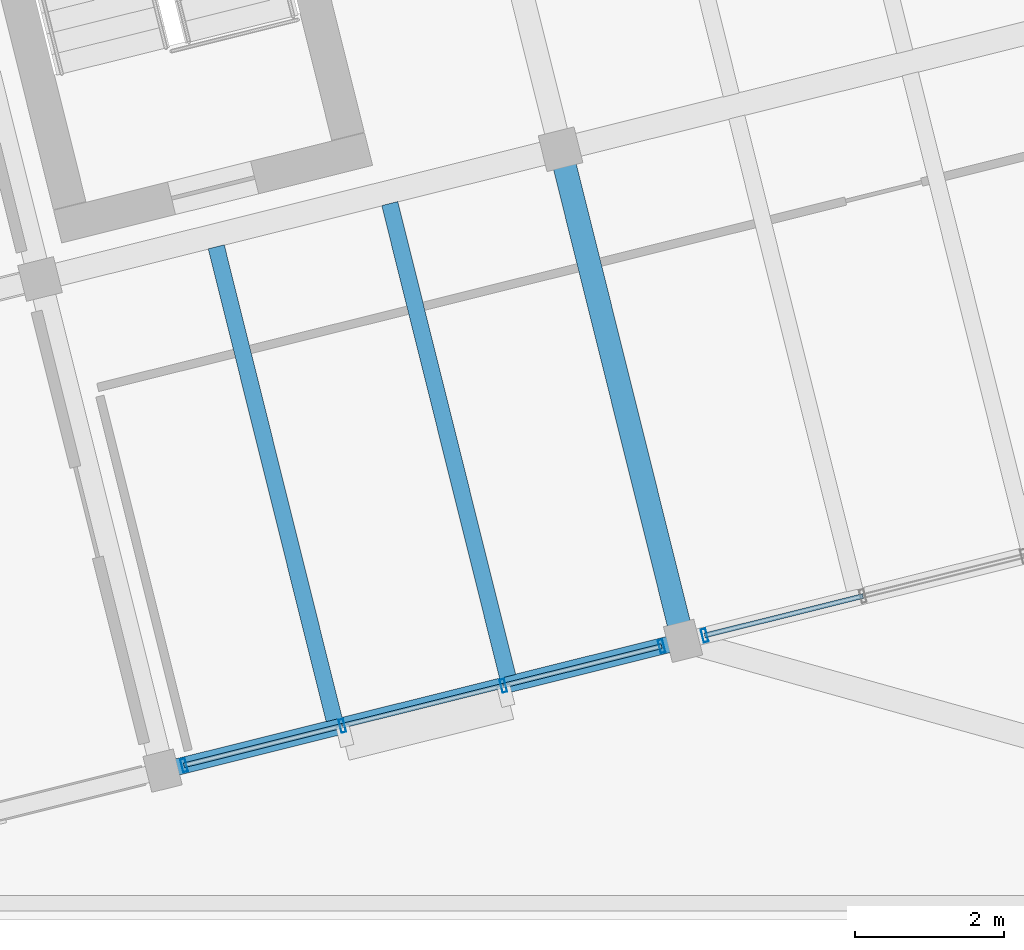
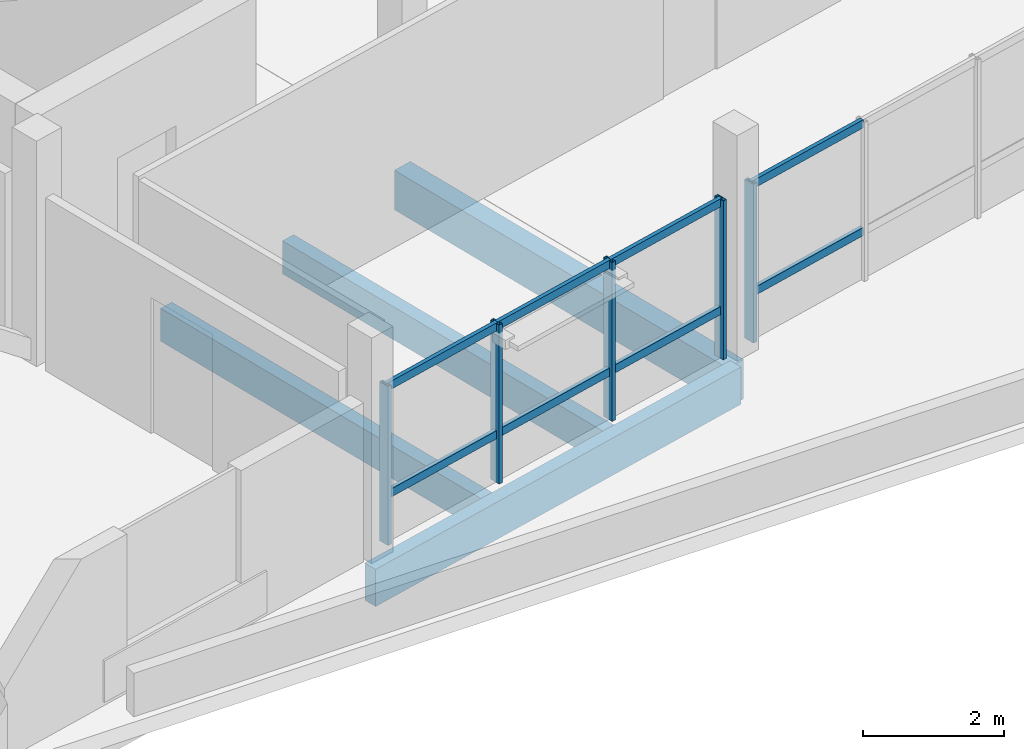
# One storey, part 5 of 37: 13 members, 4 beams, 2 elements without a shape of their own.
"""IFC4 building model written with IfcOpenShell, lengths in metres."""

import ifcopenshell
import ifcopenshell.guid

model = None  # the IFC model being written
_history = None  # IfcOwnerHistory: only IFC2X3 demands one
_inside = {}  # id of a spatial element -> (the spatial element, [elements in it])
_under = {}  # id of a project, library or spatial element -> (it, [spatial elements below it])
_declared = {}  # id of a project -> (the project, [libraries it declares])
_typed = {}  # id of a type object -> (the type object, [elements of that type])
_made_of = {}  # id of a material, layer set ... -> (it, [elements and type objects made of it])


def new_model(schema):
    """Start an empty IFC model of exactly this schema.

    Asked for "IFC4X3", IfcOpenShell would pick the latest addendum, in which some entities
    have other attributes; the version numbers below select the first issue.
    IFC2X3 requires an IfcOwnerHistory on every rooted entity: one is made here for all.
    """
    global model, _history
    if schema == "IFC4X3":
        model = ifcopenshell.file(schema_version=(4, 3, 0, 0))
    else:
        model = ifcopenshell.file(schema=schema)
    _inside.clear()
    _under.clear()
    _declared.clear()
    _typed.clear()
    _made_of.clear()
    _history = None
    if model.schema == "IFC2X3":
        org = make("IfcOrganization", Name="unknown")
        user = make(
            "IfcPersonAndOrganization",
            ThePerson=make("IfcPerson", FamilyName="unknown"),
            TheOrganization=org,
        )
        app = make(
            "IfcApplication",
            ApplicationDeveloper=org,
            Version="unknown",
            ApplicationFullName="unknown",
            ApplicationIdentifier="unknown",
        )
        _history = make(
            "IfcOwnerHistory",
            OwningUser=user,
            OwningApplication=app,
            ChangeAction="ADDED",
            CreationDate=0,
        )
    return model


def make(cls, **values):
    """One entity of the class cls with the attributes given. An attribute that is None is left unset."""
    return model.create_entity(
        cls, **{name: value for name, value in values.items() if value is not None}
    )


def rooted(cls, **values):
    """An entity with a GlobalId (a new one), such as an element, a storey or a relation."""
    return make(cls, GlobalId=ifcopenshell.guid.new(), OwnerHistory=_history, **values)


def si_unit(unit_type, name, prefix=None):
    """IfcSIUnit, for example si_unit("LENGTHUNIT", "METRE", prefix="MILLI")."""
    return make("IfcSIUnit", UnitType=unit_type, Prefix=prefix, Name=name)


def assignment(units):
    """IfcUnitAssignment: the units of a project."""
    return None if units is None else make("IfcUnitAssignment", Units=units)


def point(xyz):
    """IfcCartesianPoint."""
    return None if xyz is None else make("IfcCartesianPoint", Coordinates=xyz)


def direction(xyz):
    """IfcDirection."""
    return None if xyz is None else make("IfcDirection", DirectionRatios=xyz)


def frame(location, z_axis=None, x_axis=None):
    """IfcAxis2Placement3D, a coordinate frame: its origin and axes. An axis left out is left unset."""
    return make(
        "IfcAxis2Placement3D",
        Location=point(location),
        Axis=direction(z_axis),
        RefDirection=direction(x_axis),
    )


def frame_2d(location, x_axis=None):
    """IfcAxis2Placement2D, a coordinate frame in the plane: its origin and x axis."""
    return make(
        "IfcAxis2Placement2D", Location=point(location), RefDirection=direction(x_axis)
    )


def origin():
    """The frame at (0, 0, 0) with its axes left unset."""
    return frame((0.0, 0.0, 0.0))


def origin_2d():
    """The frame at (0, 0) in the plane with its x axis left unset."""
    return frame_2d((0.0, 0.0))


def place(relative_to, where):
    """IfcLocalPlacement: puts the frame where relative to a parent placement (None: the world)."""
    return make(
        "IfcLocalPlacement", PlacementRelTo=relative_to, RelativePlacement=where
    )


def context(
    kind, dimensions, precision=None, world=None, true_north=None, identifier=None
):
    """IfcGeometricRepresentationContext, for example the 3D "Model" context."""
    return make(
        "IfcGeometricRepresentationContext",
        ContextIdentifier=identifier,
        ContextType=kind,
        CoordinateSpaceDimension=dimensions,
        Precision=precision,
        WorldCoordinateSystem=world,
        TrueNorth=true_north,
    )


def subcontext(parent, identifier, kind, view, scale=None):
    """IfcGeometricRepresentationSubContext, for example "Body" below "Model"."""
    return make(
        "IfcGeometricRepresentationSubContext",
        ContextIdentifier=identifier,
        ContextType=kind,
        ParentContext=parent,
        TargetScale=scale,
        TargetView=view,
    )


def project(units=None, contexts=None):
    """IfcProject with its units and contexts."""
    return rooted(
        "IfcProject",
        Name="project",
        RepresentationContexts=contexts,
        UnitsInContext=assignment(units),
    )


def spatial(cls, under=None, at=None, **own):
    """A site, building, storey or space (cls), placed at a placement, below another one or the project."""
    s = rooted(cls, ObjectPlacement=at, **own)
    if under is not None:
        _under.setdefault(under.id(), (under, []))[1].append(s)
    return s


def profile(cls, at=None, kind="AREA", **sizes):
    """A parametric profile (cls). Its sizes go by their IFC names, for example OverallWidth=200.0."""
    return make(cls, ProfileType=kind, Position=at, **sizes)


def rectangle(**sizes):
    """IfcRectangleProfileDef."""
    return profile("IfcRectangleProfileDef", **sizes)


def hollow_rectangle(**sizes):
    """IfcRectangleHollowProfileDef."""
    return profile("IfcRectangleHollowProfileDef", **sizes)


def extrude(swept, where, along, depth):
    """IfcExtrudedAreaSolid: the profile swept, set in the frame where, extruded along a direction by depth."""
    return make(
        "IfcExtrudedAreaSolid",
        SweptArea=swept,
        Position=where,
        ExtrudedDirection=direction(along),
        Depth=depth,
    )


def shape(context_of_items, identifier, shape_type, items):
    """IfcShapeRepresentation: the items that make up one representation, for example the "Body"."""
    return make(
        "IfcShapeRepresentation",
        ContextOfItems=context_of_items,
        RepresentationIdentifier=identifier,
        RepresentationType=shape_type,
        Items=items,
    )


def material(Name=None, Category=None):
    """IfcMaterial."""
    return make("IfcMaterial", Name=Name, Category=Category)


def layer(
    of_material, thickness, ventilated=None, Name=None, Category=None, Priority=None
):
    """IfcMaterialLayer: one layer of a wall or slab, of a material (None: an air gap)."""
    return make(
        "IfcMaterialLayer",
        Material=of_material,
        LayerThickness=thickness,
        IsVentilated=ventilated,
        Name=Name,
        Category=Category,
        Priority=Priority,
    )


def layer_set(layers, Name=None):
    """IfcMaterialLayerSet."""
    return make("IfcMaterialLayerSet", MaterialLayers=layers, LayerSetName=Name)


def material_profile(
    of_material, cross_section, Name=None, Category=None, Priority=None
):
    """IfcMaterialProfile: a cross section and its material."""
    return make(
        "IfcMaterialProfile",
        Name=Name,
        Material=of_material,
        Profile=cross_section,
        Priority=Priority,
        Category=Category,
    )


def profile_set(profiles, Name=None, composite=None):
    """IfcMaterialProfileSet."""
    return make(
        "IfcMaterialProfileSet",
        Name=Name,
        MaterialProfiles=profiles,
        CompositeProfile=composite,
    )


def made_of(thing, what):
    """Note that an element or type object is made of a material, layer set ...; save() writes the relation."""
    if what is not None:
        _made_of.setdefault(what.id(), (what, []))[1].append(thing)
    return thing


def type_object(cls, material=None, **own):
    """A type object (cls), such as IfcWallType, which elements share."""
    return made_of(rooted(cls, **own), material)


def element(
    cls,
    number,
    at=None,
    inside=None,
    cuts=None,
    type_object=None,
    material=None,
    context=None,
    identifier="Body",
    shape_type=None,
    held_by="IfcProductDefinitionShape",
    body=None,
    shapes=None,
    **own,
):
    """One element of the class cls, such as IfcWall. Its Tag is "e" and its number.

    at: its placement. inside: the storey or other place that contains it. cuts: it is an
    opening in that element (IfcRelVoidsElement). A single representation is given by context,
    identifier, shape_type and body (its items); several are given by shapes. held_by: the class
    of the entity that holds the representations. save() writes the other relations.
    """
    e = rooted(cls, Tag="e%d" % number, ObjectPlacement=at, **own)
    if body is not None:
        shapes = [shape(context, identifier, shape_type, body)]
    if shapes is not None:
        e.Representation = make(held_by, Representations=shapes)
    if inside is not None:
        _inside.setdefault(inside.id(), (inside, []))[1].append(e)
    if cuts is not None:
        rooted(
            "IfcRelVoidsElement", RelatingBuildingElement=cuts, RelatedOpeningElement=e
        )
    if type_object is not None:
        _typed.setdefault(type_object.id(), (type_object, []))[1].append(e)
    return made_of(e, material)


def aggregate(whole, parts):
    """IfcRelAggregates: a whole, such as a stair, and the parts it consists of."""
    return rooted("IfcRelAggregates", RelatingObject=whole, RelatedObjects=parts)


def save(model, path):
    """Write the relations noted so far, then the file.

    IfcRelAggregates (storeys below a building ...), IfcRelContainedInSpatialStructure (elements
    in a storey), IfcRelDefinesByType, IfcRelAssociatesMaterial and IfcRelDeclares: one each for
    every whole, place, type object, material and project.
    """
    for whole, parts in _under.values():
        aggregate(whole, parts)
    for where, things in _inside.values():
        rooted(
            "IfcRelContainedInSpatialStructure",
            RelatedElements=things,
            RelatingStructure=where,
        )
    for kind, things in _typed.values():
        rooted("IfcRelDefinesByType", RelatedObjects=things, RelatingType=kind)
    for what, things in _made_of.values():
        rooted("IfcRelAssociatesMaterial", RelatedObjects=things, RelatingMaterial=what)
    for by, libraries in _declared.values():
        rooted("IfcRelDeclares", RelatingContext=by, RelatedDefinitions=libraries)
    model.write(path)


model = new_model("IFC4")

# Units and contexts
model_context = context("Model", 3, precision=1e-05, world=origin(), true_north=direction((0.0, 1.0)))
body_context = subcontext(model_context, "Body", "Model", "MODEL_VIEW")
ifc_project = project(units=[si_unit("LENGTHUNIT", "METRE"), si_unit("AREAUNIT", "SQUARE_METRE"), si_unit("VOLUMEUNIT", "CUBIC_METRE"), si_unit("PLANEANGLEUNIT", "RADIAN"), si_unit("MASSUNIT", "GRAM", prefix="KILO")], contexts=[model_context])

# Site, building, storey
site_placement = place(None, origin())
site = spatial("IfcSite", under=ifc_project, at=site_placement, CompositionType="ELEMENT")
building_placement = place(site_placement, origin())
building = spatial("IfcBuilding", under=site, at=building_placement, Name="Meriwether Solvik Hall", CompositionType="ELEMENT")
storey_placement = place(building_placement, frame((0.0, 0.0, 26.10009765625)))
storey = spatial("IfcBuildingStorey", under=building, at=storey_placement, Name="L06", CompositionType="ELEMENT", Elevation=26.10009765625)

# Beams
ifc_material_1 = material(Name="Glulam Douglas-Fir 24F-V8 GL28h", Category="wood")
ifc_material_profile_1 = material_profile(ifc_material_1, rectangle(XDim=0.221923828125, YDim=0.64501953125, at=origin_2d()), Name="GLB-222X645")
ifc_profile_set_1 = profile_set([ifc_material_profile_1], Name="Glulam Douglas-Fir 24F-V8 GL28h")
beam_type_1 = type_object("IfcBeamType", Name="BM-GL-222X645", PredefinedType="SPANDREL", material=ifc_profile_set_1)
beam_1_placement = place(storey_placement, frame((75.974365234375, 43.03857421875, -0.592529296875), z_axis=(0.970291911955, 0.241937193493, 0.0), x_axis=(-0.241937193493, 0.970291911955, 0.0)))
element("IfcBeam", 1, at=beam_1_placement, inside=storey, type_object=beam_type_1, Name="Tower Girder TA:T2-T3 (L06)", PredefinedType="SPANDREL", context=body_context, shape_type="SweptSolid", body=[
    extrude(rectangle(XDim=0.221923828125, YDim=0.64501953125, at=origin_2d()), origin(), (0.0, 0.0, 1.0), 7.199951171875),
])
ifc_material_2 = material(Name="Glulam Douglas-Fir 24F-V8 GL28h", Category="wood")
ifc_material_profile_2 = material_profile(ifc_material_2, rectangle(XDim=0.31494140625, YDim=0.68505859375, at=origin_2d()), Name="GLB-315X685")
ifc_profile_set_2 = profile_set([ifc_material_profile_2], Name="Glulam Douglas-Fir 24F-V8 GL28h")
beam_type_2 = type_object("IfcBeamType", Name="BM-GL-315X685", PredefinedType="BEAM", material=ifc_profile_set_2)
beam_2_placement = place(storey_placement, frame((82.96044921875, 44.780517578125, -0.612548828125), z_axis=(-0.241918877831, 0.970296478685, 0.0), x_axis=(-0.970296478685, -0.241918877831, 0.0)))
element("IfcBeam", 2, at=beam_2_placement, inside=storey, type_object=beam_type_2, Name="Tower Girder T3:TA-TB (L06)", PredefinedType="BEAM", context=body_context, shape_type="SweptSolid", body=[
    extrude(rectangle(XDim=0.31494140625, YDim=0.68505859375, at=origin_2d()), origin(), (0.0, 0.0, 1.0), 6.7998046875),
])

# Curtain wall, members
ifc_material_3 = material(Name="Thermally Broken Anodised Aluminium 6063-T6 and Low-E Glass", Category="aluminium")
ifc_layer_1 = layer(ifc_material_3, 0.179931640625)
ifc_layer_set_1 = layer_set([ifc_layer_1], Name="Thermally Broken Anodised Aluminium 6063-T6 and Low-E Glass")
curtain_wall_type_1 = type_object("IfcCurtainWallType", Name="CW-UNIT-E", PredefinedType="USERDEFINED", material=ifc_layer_set_1)
curtain_wall_1_placement = place(storey_placement, origin())
curtain_wall_1 = element("IfcCurtainWall", 3, at=curtain_wall_1_placement, inside=storey, type_object=curtain_wall_type_1, Name="Curtain Wall E0_B1 (L06)", ObjectType="UNITISED CURTAIN WALL", PredefinedType="USERDEFINED")
ifc_material_4 = material(Name="Anodised Aluminium 6063-T6", Category="aluminium")
ifc_material_profile_3 = material_profile(ifc_material_4, hollow_rectangle(XDim=0.06494140625, YDim=0.179931640625, WallThickness=0.00439453125, at=origin_2d()), Name="CWM-65X180")
ifc_profile_set_3 = profile_set([ifc_material_profile_3], Name="Anodised Aluminium 6063-T6")
member_type_1 = type_object("IfcMemberType", Name="CW-MUL-65X180", PredefinedType="MULLION", material=ifc_profile_set_3)
member_1_placement = place(storey_placement, frame((82.671630859375, 44.70849609375, 0.0), z_axis=(0.0, 0.0, 1.0), x_axis=(-0.970295734974, -0.241921860714, 0.0)))
member_1 = element("IfcMember", 4, at=member_1_placement, type_object=member_type_1, Name="Curtain Wall Mullion 1", PredefinedType="MULLION", context=body_context, shape_type="SweptSolid", body=[
    extrude(hollow_rectangle(XDim=0.06494140625, YDim=0.179931640625, WallThickness=0.00439453125, at=origin_2d()), origin(), (0.0, 0.0, 1.0), 2.75),
])
member_2_placement = place(storey_placement, frame((80.5478515625, 44.178955078125, 0.0), z_axis=(0.0, 0.0, 1.0), x_axis=(-0.970295734974, -0.241921860714, 0.0)))
member_2 = element("IfcMember", 5, at=member_2_placement, type_object=member_type_1, Name="Curtain Wall Mullion 2", PredefinedType="MULLION", context=body_context, shape_type="SweptSolid", body=[
    extrude(hollow_rectangle(XDim=0.06494140625, YDim=0.179931640625, WallThickness=0.00439453125, at=origin_2d()), origin(), (0.0, 0.0, 1.0), 2.75),
])
member_3_placement = place(storey_placement, frame((78.386962890625, 43.64013671875, 0.0), z_axis=(0.0, 0.0, 1.0), x_axis=(-0.970295734974, -0.241921860714, 0.0)))
member_3 = element("IfcMember", 6, at=member_3_placement, type_object=member_type_1, Name="Curtain Wall Mullion 3", PredefinedType="MULLION", context=body_context, shape_type="SweptSolid", body=[
    extrude(hollow_rectangle(XDim=0.06494140625, YDim=0.179931640625, WallThickness=0.00439453125, at=origin_2d()), origin(), (0.0, 0.0, 1.0), 2.75),
])
member_4_placement = place(storey_placement, frame((76.262939453125, 43.110595703125, 0.0), z_axis=(0.0, 0.0, 1.0), x_axis=(-0.970295734974, -0.241921860714, 0.0)))
member_4 = element("IfcMember", 7, at=member_4_placement, type_object=member_type_1, Name="Curtain Wall Mullion 4", PredefinedType="MULLION", context=body_context, shape_type="SweptSolid", body=[
    extrude(hollow_rectangle(XDim=0.06494140625, YDim=0.179931640625, WallThickness=0.00439453125, at=origin_2d()), origin(), (0.0, 0.0, 1.0), 2.75),
])

# Curtain wall, member
ifc_material_5 = material(Name="Thermally Broken Anodised Aluminium 6063-T6 and Low-E Glass", Category="aluminium")
ifc_layer_2 = layer(ifc_material_5, 0.179931640625)
ifc_layer_set_2 = layer_set([ifc_layer_2], Name="Thermally Broken Anodised Aluminium 6063-T6 and Low-E Glass")
curtain_wall_type_2 = type_object("IfcCurtainWallType", Name="CW-UNIT-F", PredefinedType="USERDEFINED", material=ifc_layer_set_2)
curtain_wall_2_placement = place(storey_placement, origin())
curtain_wall_2 = element("IfcCurtainWall", 8, at=curtain_wall_2_placement, inside=storey, type_object=curtain_wall_type_2, Name="Curtain Wall E0_B2 (L06)", ObjectType="UNITISED CURTAIN WALL", PredefinedType="USERDEFINED")
member_5_placement = place(storey_placement, frame((83.2490234375, 44.8525390625, 0.0), z_axis=(0.0, 0.0, 1.0), x_axis=(-0.970295734974, -0.241921860714, 0.0)))
member_5 = element("IfcMember", 9, at=member_5_placement, type_object=member_type_1, Name="Curtain Wall Mullion 4", PredefinedType="MULLION", context=body_context, shape_type="SweptSolid", body=[
    extrude(hollow_rectangle(XDim=0.06494140625, YDim=0.179931640625, WallThickness=0.00439453125, at=origin_2d()), origin(), (0.0, 0.0, 1.0), 2.75),
])

# Member
ifc_material_6 = material(Name="Anodised Aluminium 6063-T6", Category="aluminium")
ifc_material_profile_4 = material_profile(ifc_material_6, hollow_rectangle(XDim=0.06494140625, YDim=0.139892578125, WallThickness=0.00439453125, at=origin_2d()), Name="CWT-65X140")
ifc_profile_set_4 = profile_set([ifc_material_profile_4], Name="Anodised Aluminium 6063-T6")
member_type_2 = type_object("IfcMemberType", Name="CW-TRN-65X140", PredefinedType="USERDEFINED", material=ifc_profile_set_4)
member_6_placement = place(storey_placement, frame((82.671630859375, 44.70849609375, 0.824951171875), z_axis=(-0.970293220462, -0.241931945647, 0.0), x_axis=(0.241931945647, -0.970293220462, 0.0)))
member_6 = element("IfcMember", 10, at=member_6_placement, type_object=member_type_2, Name="Curtain Wall Transom 1-sill", ObjectType="TRANSOM", PredefinedType="USERDEFINED", context=body_context, shape_type="SweptSolid", body=[
    extrude(hollow_rectangle(XDim=0.06494140625, YDim=0.139892578125, WallThickness=0.00439453125, at=origin_2d()), origin(), (0.0, 0.0, 1.0), 2.188720703125),
])

member_7_placement = place(storey_placement, frame((82.671630859375, 44.70849609375, 2.68994140625), z_axis=(-0.970293220462, -0.241931945647, 0.0), x_axis=(0.241931945647, -0.970293220462, 0.0)))
member_7 = element("IfcMember", 11, at=member_7_placement, type_object=member_type_2, Name="Curtain Wall Transom 1-head", ObjectType="TRANSOM", PredefinedType="USERDEFINED", context=body_context, shape_type="SweptSolid", body=[
    extrude(hollow_rectangle(XDim=0.06494140625, YDim=0.139892578125, WallThickness=0.00439453125, at=origin_2d()), origin(), (0.0, 0.0, 1.0), 2.188720703125),
])

member_8_placement = place(storey_placement, frame((80.5478515625, 44.178955078125, 0.824951171875), z_axis=(-0.970290634888, -0.241942315128, 0.0), x_axis=(0.241942315128, -0.970290634888, 0.0)))
member_8 = element("IfcMember", 12, at=member_8_placement, type_object=member_type_2, Name="Curtain Wall Transom 2-sill", ObjectType="TRANSOM", PredefinedType="USERDEFINED", context=body_context, shape_type="SweptSolid", body=[
    extrude(hollow_rectangle(XDim=0.06494140625, YDim=0.139892578125, WallThickness=0.00439453125, at=origin_2d()), origin(), (0.0, 0.0, 1.0), 2.22705078125),
])

member_9_placement = place(storey_placement, frame((80.5478515625, 44.178955078125, 2.68994140625), z_axis=(-0.970290634888, -0.241942315128, 0.0), x_axis=(0.241942315128, -0.970290634888, 0.0)))
member_9 = element("IfcMember", 13, at=member_9_placement, type_object=member_type_2, Name="Curtain Wall Transom 2-head", ObjectType="TRANSOM", PredefinedType="USERDEFINED", context=body_context, shape_type="SweptSolid", body=[
    extrude(hollow_rectangle(XDim=0.06494140625, YDim=0.139892578125, WallThickness=0.00439453125, at=origin_2d()), origin(), (0.0, 0.0, 1.0), 2.22705078125),
])

member_10_placement = place(storey_placement, frame((78.386962890625, 43.64013671875, 0.824951171875), z_axis=(-0.970299748003, -0.241905764761, 0.0), x_axis=(0.241905764761, -0.970299748003, 0.0)))
member_10 = element("IfcMember", 14, at=member_10_placement, type_object=member_type_2, Name="Curtain Wall Transom 3-sill", ObjectType="TRANSOM", PredefinedType="USERDEFINED", context=body_context, shape_type="SweptSolid", body=[
    extrude(hollow_rectangle(XDim=0.06494140625, YDim=0.139892578125, WallThickness=0.00439453125, at=origin_2d()), origin(), (0.0, 0.0, 1.0), 2.18896484375),
])

member_11_placement = place(storey_placement, frame((78.386962890625, 43.64013671875, 2.68994140625), z_axis=(-0.970299748003, -0.241905764761, 0.0), x_axis=(0.241905764761, -0.970299748003, 0.0)))
member_11 = element("IfcMember", 15, at=member_11_placement, type_object=member_type_2, Name="Curtain Wall Transom 3-head", ObjectType="TRANSOM", PredefinedType="USERDEFINED", context=body_context, shape_type="SweptSolid", body=[
    extrude(hollow_rectangle(XDim=0.06494140625, YDim=0.139892578125, WallThickness=0.00439453125, at=origin_2d()), origin(), (0.0, 0.0, 1.0), 2.18896484375),
])

aggregate(curtain_wall_1, [member_1, member_2, member_3, member_4, member_6, member_7, member_8, member_9, member_10, member_11])

member_12_placement = place(storey_placement, frame((85.373046875, 45.382080078125, 0.824951171875), z_axis=(-0.970299748003, -0.241905764761, 0.0), x_axis=(0.241905764761, -0.970299748003, 0.0)))
member_12 = element("IfcMember", 16, at=member_12_placement, type_object=member_type_2, Name="Curtain Wall Transom 3-sill", ObjectType="TRANSOM", PredefinedType="USERDEFINED", context=body_context, shape_type="SweptSolid", body=[
    extrude(hollow_rectangle(XDim=0.06494140625, YDim=0.139892578125, WallThickness=0.00439453125, at=origin_2d()), origin(), (0.0, 0.0, 1.0), 2.18896484375),
])

member_13_placement = place(storey_placement, frame((85.373046875, 45.382080078125, 2.68994140625), z_axis=(-0.970299748003, -0.241905764761, 0.0), x_axis=(0.241905764761, -0.970299748003, 0.0)))
member_13 = element("IfcMember", 17, at=member_13_placement, type_object=member_type_2, Name="Curtain Wall Transom 3-head", ObjectType="TRANSOM", PredefinedType="USERDEFINED", context=body_context, shape_type="SweptSolid", body=[
    extrude(hollow_rectangle(XDim=0.06494140625, YDim=0.139892578125, WallThickness=0.00439453125, at=origin_2d()), origin(), (0.0, 0.0, 1.0), 2.18896484375),
])

aggregate(curtain_wall_2, [member_5, member_12, member_13])

# Beams
ifc_material_7 = material(Name="Glulam Douglas-Fir 24F-V8 GL28h", Category="wood")
ifc_material_profile_5 = material_profile(ifc_material_7, rectangle(XDim=0.221923828125, YDim=0.570068359375, at=origin_2d()), Name="GLJ-222X570")
ifc_profile_set_5 = profile_set([ifc_material_profile_5], Name="Glulam Douglas-Fir 24F-V8 GL28h")
beam_type_3 = type_object("IfcBeamType", Name="JST-GL-222X570", PredefinedType="JOIST", material=ifc_profile_set_5)
for number, where, z_axis, x_axis, name in (
    (18, (78.27734375, 43.72216796875, -0.55517578125), (-0.241920861923, 0.970295984, 0.0), (-0.970295984, -0.241920861923, 0.0), "Glulam Floor Joist T2/TA-J1 (L06)"),
    (19, (80.60595703125, 44.302734375, -0.55517578125), (-0.241920861923, 0.970295984, 0.0), (-0.970295984, -0.241920861923, 0.0), "Glulam Floor Joist T2/TA-J2 (L06)"),
):
    element("IfcBeam", number, at=place(storey_placement, frame(where, z_axis=z_axis, x_axis=x_axis)), inside=storey, type_object=beam_type_3, Name=name, PredefinedType="JOIST", context=body_context, shape_type="SweptSolid", body=[
        extrude(rectangle(XDim=0.221923828125, YDim=0.570068359375, at=origin_2d()), origin(), (0.0, 0.0, 1.0), 6.54150390625),
    ])

save(model, "model.ifc")
